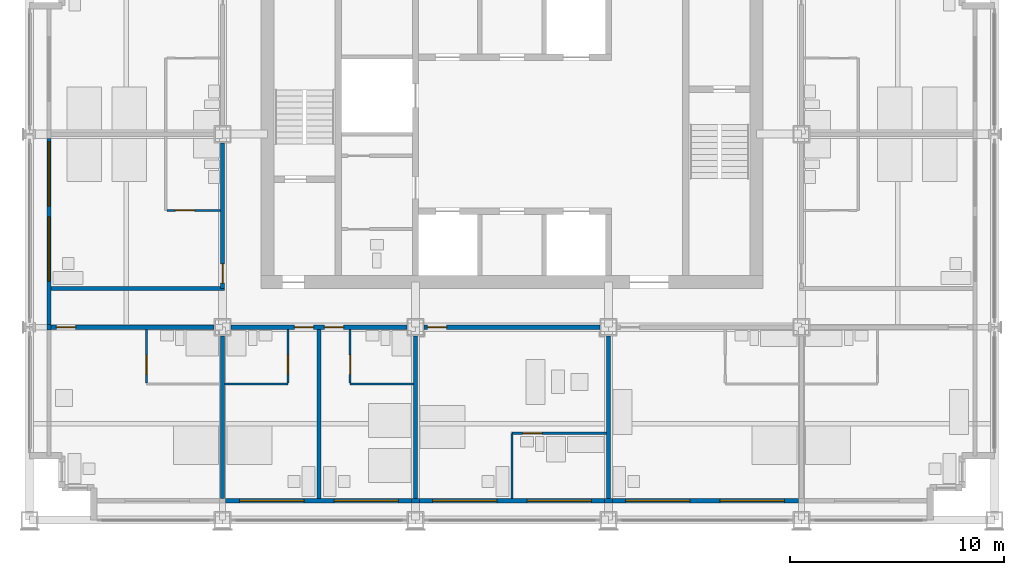
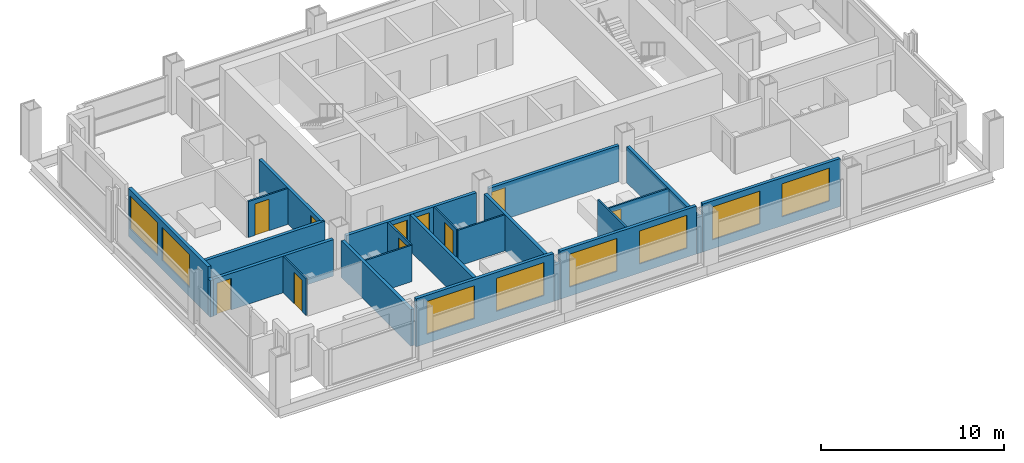
# One storey, part 7 of 13: 24 walls, 10 doors, 8 windows, 18 openings.
"""IFC4 building model written with IfcOpenShell, lengths in metres."""

from ifc_helpers import new_model, si_unit, direction, frame, frame_2d, origin, place, context, subcontext, project, spatial, rectangle, extrude, material, layer, layer_set, type_object, element, fill, save


model = new_model("IFC4")

# Units and contexts
model_context = context("Model", 3, precision=1e-05, world=origin(), true_north=direction((0.0, 1.0)))
body_context = subcontext(model_context, "Body", "Model", "MODEL_VIEW")
ifc_project = project(units=[si_unit("LENGTHUNIT", "METRE"), si_unit("AREAUNIT", "SQUARE_METRE"), si_unit("VOLUMEUNIT", "CUBIC_METRE"), si_unit("PLANEANGLEUNIT", "RADIAN"), si_unit("MASSUNIT", "GRAM", prefix="KILO")], contexts=[model_context])

# Site, building, storey
site_placement = place(None, origin())
site = spatial("IfcSite", under=ifc_project, at=site_placement, CompositionType="ELEMENT")
building_placement = place(site_placement, origin())
building = spatial("IfcBuilding", under=site, at=building_placement, Name="Loomwork Tower", CompositionType="ELEMENT")
storey_placement = place(building_placement, frame((0.0, 0.0, 187.60009765625)))
storey = spatial("IfcBuildingStorey", under=building, at=storey_placement, Name="L51", CompositionType="ELEMENT", Elevation=187.60009765625)

# Wall, opening, door
ifc_material_1 = material(Name="Gypsum board on steel studs, one-hour", Category="steel")
ifc_layer_1 = layer(ifc_material_1, 0.199951171875)
ifc_layer_set_1 = layer_set([ifc_layer_1], Name="Corridor wall 200")
wall_type_1 = type_object("IfcWallType", Name="Corridor wall 200", PredefinedType="PARTITIONING", material=ifc_layer_set_1)
wall_1_placement = place(storey_placement, frame((1.0, 9.0, 0.0), z_axis=(0.0, 0.0, 1.0), x_axis=(1.0, 0.0, 0.0)))
wall_1 = element("IfcWall", 1, at=wall_1_placement, inside=storey, type_object=wall_type_1, Name="South corridor wall 1", PredefinedType="PARTITIONING", context=body_context, shape_type="SweptSolid", body=[
    extrude(rectangle(XDim=7.60009765625, YDim=0.199951171875, at=frame_2d((3.800048828125, 0.0))), origin(), (0.0, 0.0, 1.0), 2.43798828125),
])
opening_1_placement = place(wall_1_placement, frame((0.25, 0.0, 0.0)))
opening_1 = element("IfcOpeningElement", 2, at=opening_1_placement, cuts=wall_1, Name="Opening D1", PredefinedType="OPENING", context=body_context, shape_type="SweptSolid", body=[
    extrude(rectangle(XDim=0.89990234375, YDim=2.10009765625, at=frame_2d((0.449951171875, 1.050048828125))), frame((0.0, 0.10986328125, 0.0), z_axis=(0.0, -1.0, 0.0), x_axis=(1.0, 0.0, 0.0)), (0.0, 0.0, 1.0), 0.219970703125),
])
ifc_material_2 = material(Name="Hollow metal door and frame")
door_type_1 = type_object("IfcDoorType", Name="Guest room entry door 900", OperationType="SINGLE_SWING_LEFT", PredefinedType="DOOR", material=ifc_material_2)
door_1_placement = place(opening_1_placement, frame((0.89990234375, 0.0, 0.0), z_axis=(0.0, 0.0, 1.0), x_axis=(-1.0, 0.0, 0.0)))
door_1 = element("IfcDoor", 3, at=door_1_placement, inside=storey, type_object=door_type_1, Name="Guest room entry door L51 1", OperationType="SINGLE_SWING_RIGHT", OverallHeight=2.10009765625, OverallWidth=0.89990234375, PredefinedType="DOOR", context=body_context, shape_type="SweptSolid", body=[
    extrude(rectangle(XDim=0.89990234375, YDim=2.10009765625, at=frame_2d((0.449951171875, 1.050048828125))), frame((0.0, 0.02490234375, 0.0), z_axis=(0.0, -1.0, 0.0), x_axis=(1.0, 0.0, 0.0)), (0.0, 0.0, 1.0), 0.050048828125),
])
fill(opening_1, door_1)

# Wall, openings, doors
wall_2_placement = place(storey_placement, frame((9.39990234375, 9.0, 0.0), z_axis=(0.0, 0.0, 1.0), x_axis=(1.0, 0.0, 0.0)))
wall_2 = element("IfcWall", 4, at=wall_2_placement, inside=storey, type_object=wall_type_1, Name="South corridor wall 2", PredefinedType="PARTITIONING", context=body_context, shape_type="SweptSolid", body=[
    extrude(rectangle(XDim=8.2001953125, YDim=0.199951171875, at=frame_2d((4.10009765625, 0.0))), origin(), (0.0, 0.0, 1.0), 2.40478515625),
])
opening_2_placement = place(wall_2_placement, frame((2.949951171875, 0.0, 0.0)))
opening_2 = element("IfcOpeningElement", 5, at=opening_2_placement, cuts=wall_2, Name="Opening D1", PredefinedType="OPENING", context=body_context, shape_type="SweptSolid", body=[
    extrude(rectangle(XDim=0.89990234375, YDim=2.10009765625, at=frame_2d((0.449951171875, 1.050048828125))), frame((0.0, 0.10986328125, 0.0), z_axis=(0.0, -1.0, 0.0), x_axis=(1.0, 0.0, 0.0)), (0.0, 0.0, 1.0), 0.219970703125),
])
opening_3_placement = place(wall_2_placement, frame((4.35009765625, 0.0, 0.0)))
opening_3 = element("IfcOpeningElement", 6, at=opening_3_placement, cuts=wall_2, Name="Opening D1", PredefinedType="OPENING", context=body_context, shape_type="SweptSolid", body=[
    extrude(rectangle(XDim=0.89990234375, YDim=2.10009765625, at=frame_2d((0.449951171875, 1.050048828125))), frame((0.0, 0.10986328125, 0.0), z_axis=(0.0, -1.0, 0.0), x_axis=(1.0, 0.0, 0.0)), (0.0, 0.0, 1.0), 0.219970703125),
])
door_2_placement = place(opening_2_placement, frame((0.89990234375, 0.0, 0.0), z_axis=(0.0, 0.0, 1.0), x_axis=(-1.0, 0.0, 0.0)))
door_2 = element("IfcDoor", 7, at=door_2_placement, inside=storey, type_object=door_type_1, Name="Guest room entry door L51 2", OperationType="SINGLE_SWING_LEFT", OverallHeight=2.10009765625, OverallWidth=0.89990234375, PredefinedType="DOOR", context=body_context, shape_type="SweptSolid", body=[
    extrude(rectangle(XDim=0.89990234375, YDim=2.10009765625, at=frame_2d((0.449951171875, 1.050048828125))), frame((0.0, 0.02490234375, 0.0), z_axis=(0.0, -1.0, 0.0), x_axis=(1.0, 0.0, 0.0)), (0.0, 0.0, 1.0), 0.050048828125),
])
fill(opening_2, door_2)
door_3_placement = place(opening_3_placement, frame((0.89990234375, 0.0, 0.0), z_axis=(0.0, 0.0, 1.0), x_axis=(-1.0, 0.0, 0.0)))
door_3 = element("IfcDoor", 8, at=door_3_placement, inside=storey, type_object=door_type_1, Name="Guest room entry door L51 3", OperationType="SINGLE_SWING_RIGHT", OverallHeight=2.10009765625, OverallWidth=0.89990234375, PredefinedType="DOOR", context=body_context, shape_type="SweptSolid", body=[
    extrude(rectangle(XDim=0.89990234375, YDim=2.10009765625, at=frame_2d((0.449951171875, 1.050048828125))), frame((0.0, 0.02490234375, 0.0), z_axis=(0.0, -1.0, 0.0), x_axis=(1.0, 0.0, 0.0)), (0.0, 0.0, 1.0), 0.050048828125),
])
fill(opening_3, door_3)

# Wall, opening, door
wall_3_placement = place(storey_placement, frame((18.39990234375, 9.0, 0.0), z_axis=(0.0, 0.0, 1.0), x_axis=(1.0, 0.0, 0.0)))
wall_3 = element("IfcWall", 9, at=wall_3_placement, inside=storey, type_object=wall_type_1, Name="South corridor wall 3", PredefinedType="PARTITIONING", context=body_context, shape_type="SweptSolid", body=[
    extrude(rectangle(XDim=8.2001953125, YDim=0.199951171875, at=frame_2d((4.10009765625, 0.0))), origin(), (0.0, 0.0, 1.0), 2.40478515625),
])
opening_4_placement = place(wall_3_placement, frame((0.14990234375, 0.0, 0.0)))
opening_4 = element("IfcOpeningElement", 10, at=opening_4_placement, cuts=wall_3, Name="Opening D1", PredefinedType="OPENING", context=body_context, shape_type="SweptSolid", body=[
    extrude(rectangle(XDim=0.89990234375, YDim=2.10009765625, at=frame_2d((0.449951171875, 1.050048828125))), frame((0.0, 0.10986328125, 0.0), z_axis=(0.0, -1.0, 0.0), x_axis=(1.0, 0.0, 0.0)), (0.0, 0.0, 1.0), 0.219970703125),
])
door_4_placement = place(opening_4_placement, frame((0.89990234375, 0.0, 0.0), z_axis=(0.0, 0.0, 1.0), x_axis=(-1.0, 0.0, 0.0)))
door_4 = element("IfcDoor", 11, at=door_4_placement, inside=storey, type_object=door_type_1, Name="Guest room entry door L51 4", OperationType="SINGLE_SWING_RIGHT", OverallHeight=2.10009765625, OverallWidth=0.89990234375, PredefinedType="DOOR", context=body_context, shape_type="SweptSolid", body=[
    extrude(rectangle(XDim=0.89990234375, YDim=2.10009765625, at=frame_2d((0.449951171875, 1.050048828125))), frame((0.0, 0.02490234375, 0.0), z_axis=(0.0, -1.0, 0.0), x_axis=(1.0, 0.0, 0.0)), (0.0, 0.0, 1.0), 0.050048828125),
])
fill(opening_4, door_4)

wall_4_placement = place(storey_placement, frame((9.0, 10.800048828125, 0.0), z_axis=(0.0, 0.0, 1.0), x_axis=(0.0, 1.0, 0.0)))
wall_4 = element("IfcWall", 12, at=wall_4_placement, inside=storey, type_object=wall_type_1, Name="West corridor wall 1", PredefinedType="PARTITIONING", context=body_context, shape_type="SweptSolid", body=[
    extrude(rectangle(XDim=6.800048828125, YDim=0.199951171875, at=frame_2d((3.39990234375, 0.0))), origin(), (0.0, 0.0, 1.0), 2.40478515625),
])
opening_5_placement = place(wall_4_placement, frame((0.25, 0.0, 0.0)))
opening_5 = element("IfcOpeningElement", 13, at=opening_5_placement, cuts=wall_4, Name="Opening D1", PredefinedType="OPENING", context=body_context, shape_type="SweptSolid", body=[
    extrude(rectangle(XDim=0.89990234375, YDim=2.10009765625, at=frame_2d((0.449951171875, 1.050048828125))), frame((0.0, 0.10986328125, 0.0), z_axis=(0.0, -1.0, 0.0), x_axis=(1.0, 0.0, 0.0)), (0.0, 0.0, 1.0), 0.219970703125),
])
door_5_placement = place(opening_5_placement, origin())
door_5 = element("IfcDoor", 14, at=door_5_placement, inside=storey, type_object=door_type_1, Name="Guest room entry door L51 7", OperationType="SINGLE_SWING_LEFT", OverallHeight=2.10009765625, OverallWidth=0.89990234375, PredefinedType="DOOR", context=body_context, shape_type="SweptSolid", body=[
    extrude(rectangle(XDim=0.89990234375, YDim=2.10009765625, at=frame_2d((0.449951171875, 1.050048828125))), frame((0.0, 0.02490234375, 0.0), z_axis=(0.0, -1.0, 0.0), x_axis=(1.0, 0.0, 0.0)), (0.0, 0.0, 1.0), 0.050048828125),
])
fill(opening_5, door_5)

# Wall
wall_5_placement = place(storey_placement, frame((1.0, 10.800048828125, 0.0), z_axis=(0.0, 0.0, 1.0), x_axis=(1.0, 0.0, 0.0)))
element("IfcWall", 15, at=wall_5_placement, inside=storey, type_object=wall_type_1, Name="West band end wall S", PredefinedType="PARTITIONING", context=body_context, shape_type="SweptSolid", body=[
    extrude(rectangle(XDim=8.10009765625, YDim=0.199951171875, at=frame_2d((4.050048828125, 0.0))), origin(), (0.0, 0.0, 1.0), 2.40380859375),
])

# Wall, opening, door
ifc_material_3 = material(Name="Cement board on steel studs", Category="steel")
ifc_layer_2 = layer(ifc_material_3, 0.10009765625)
ifc_layer_set_2 = layer_set([ifc_layer_2], Name="En-suite partition 100")
wall_type_2 = type_object("IfcWallType", Name="En-suite partition 100", PredefinedType="PARTITIONING", material=ifc_layer_set_2)
wall_6_placement = place(storey_placement, frame((5.449951171875, 8.89990234375, 0.0), z_axis=(0.0, 0.0, 1.0), x_axis=(0.0, -1.0, 0.0)))
wall_6 = element("IfcWall", 16, at=wall_6_placement, inside=storey, type_object=wall_type_2, Name="En-suite side wall L51 room 1", PredefinedType="PARTITIONING", context=body_context, shape_type="SweptSolid", body=[
    extrude(rectangle(XDim=2.5, YDim=0.10009765625, at=frame_2d((1.25, 0.0))), origin(), (0.0, 0.0, 1.0), 2.43798828125),
])
opening_6_placement = place(wall_6_placement, frame((1.199951171875, 0.0, 0.0)))
opening_6 = element("IfcOpeningElement", 17, at=opening_6_placement, cuts=wall_6, Name="Opening D3", PredefinedType="OPENING", context=body_context, shape_type="SweptSolid", body=[
    extrude(rectangle(XDim=0.89990234375, YDim=2.10009765625, at=frame_2d((0.449951171875, 1.050048828125))), frame((0.0, 0.06005859375, 0.0), z_axis=(0.0, -1.0, 0.0), x_axis=(1.0, 0.0, 0.0)), (0.0, 0.0, 1.0), 0.1201171875),
])
ifc_material_4 = material(Name="Hollow metal door and frame")
door_type_2 = type_object("IfcDoorType", Name="Accessible en-suite door 900", OperationType="SLIDING_TO_LEFT", PredefinedType="DOOR", material=ifc_material_4)
door_6_placement = place(opening_6_placement, origin())
door_6 = element("IfcDoor", 18, at=door_6_placement, inside=storey, type_object=door_type_2, Name="Accessible en-suite door room 1", OperationType="SLIDING_TO_LEFT", OverallHeight=2.10009765625, OverallWidth=0.89990234375, PredefinedType="DOOR", context=body_context, shape_type="SweptSolid", body=[
    extrude(rectangle(XDim=0.89990234375, YDim=2.10009765625, at=frame_2d((0.449951171875, 1.050048828125))), frame((0.0, 0.02490234375, 0.0), z_axis=(0.0, -1.0, 0.0), x_axis=(1.0, 0.0, 0.0)), (0.0, 0.0, 1.0), 0.050048828125),
])
fill(opening_6, door_6)

# Wall
wall_7_placement = place(storey_placement, frame((9.10009765625, 6.35009765625, 0.0), z_axis=(0.0, 0.0, 1.0), x_axis=(1.0, 0.0, 0.0)))
element("IfcWall", 19, at=wall_7_placement, inside=storey, type_object=wall_type_2, Name="En-suite wall L51 room 2", PredefinedType="PARTITIONING", context=body_context, shape_type="SweptSolid", body=[
    extrude(rectangle(XDim=2.949951171875, YDim=0.10009765625, at=frame_2d((1.47509765625, 0.0))), origin(), (0.0, 0.0, 1.0), 2.43798828125),
])

# Wall, opening, door
wall_8_placement = place(storey_placement, frame((12.050048828125, 8.89990234375, 0.0), z_axis=(0.0, 0.0, 1.0), x_axis=(0.0, -1.0, 0.0)))
wall_8 = element("IfcWall", 20, at=wall_8_placement, inside=storey, type_object=wall_type_2, Name="En-suite side wall L51 room 2", PredefinedType="PARTITIONING", context=body_context, shape_type="SweptSolid", body=[
    extrude(rectangle(XDim=2.5, YDim=0.10009765625, at=frame_2d((1.25, 0.0))), origin(), (0.0, 0.0, 1.0), 2.40380859375),
])
opening_7_placement = place(wall_8_placement, frame((1.199951171875, 0.0, 0.0)))
opening_7 = element("IfcOpeningElement", 21, at=opening_7_placement, cuts=wall_8, Name="Opening D2", PredefinedType="OPENING", context=body_context, shape_type="SweptSolid", body=[
    extrude(rectangle(XDim=0.89990234375, YDim=2.10009765625, at=frame_2d((0.449951171875, 1.050048828125))), frame((0.0, 0.06005859375, 0.0), z_axis=(0.0, -1.0, 0.0), x_axis=(1.0, 0.0, 0.0)), (0.0, 0.0, 1.0), 0.1201171875),
])
ifc_material_5 = material(Name="Hollow metal door and frame")
door_type_3 = type_object("IfcDoorType", Name="En-suite door 900", OperationType="SINGLE_SWING_LEFT", PredefinedType="DOOR", material=ifc_material_5)
door_7_placement = place(opening_7_placement, frame((0.89990234375, 0.0, 0.0), z_axis=(0.0, 0.0, 1.0), x_axis=(-1.0, 0.0, 0.0)))
door_7 = element("IfcDoor", 22, at=door_7_placement, inside=storey, type_object=door_type_3, Name="En-suite door room 2", OperationType="SINGLE_SWING_LEFT", OverallHeight=2.10009765625, OverallWidth=0.89990234375, PredefinedType="DOOR", context=body_context, shape_type="SweptSolid", body=[
    extrude(rectangle(XDim=0.89990234375, YDim=2.10009765625, at=frame_2d((0.449951171875, 1.050048828125))), frame((0.0, 0.02490234375, 0.0), z_axis=(0.0, -1.0, 0.0), x_axis=(1.0, 0.0, 0.0)), (0.0, 0.0, 1.0), 0.050048828125),
])
fill(opening_7, door_7)

# Wall
wall_9_placement = place(storey_placement, frame((14.949951171875, 6.35009765625, 0.0), z_axis=(0.0, 0.0, 1.0), x_axis=(1.0, 0.0, 0.0)))
element("IfcWall", 23, at=wall_9_placement, inside=storey, type_object=wall_type_2, Name="En-suite wall L51 room 3", PredefinedType="PARTITIONING", context=body_context, shape_type="SweptSolid", body=[
    extrude(rectangle(XDim=2.949951171875, YDim=0.10009765625, at=frame_2d((1.47509765625, 0.0))), origin(), (0.0, 0.0, 1.0), 2.40380859375),
])

# Wall, opening, door
wall_10_placement = place(storey_placement, frame((14.949951171875, 8.89990234375, 0.0), z_axis=(0.0, 0.0, 1.0), x_axis=(0.0, -1.0, 0.0)))
wall_10 = element("IfcWall", 24, at=wall_10_placement, inside=storey, type_object=wall_type_2, Name="En-suite side wall L51 room 3", PredefinedType="PARTITIONING", context=body_context, shape_type="SweptSolid", body=[
    extrude(rectangle(XDim=2.5, YDim=0.10009765625, at=frame_2d((1.25, 0.0))), origin(), (0.0, 0.0, 1.0), 2.40380859375),
])
opening_8_placement = place(wall_10_placement, frame((1.199951171875, 0.0, 0.0)))
opening_8 = element("IfcOpeningElement", 25, at=opening_8_placement, cuts=wall_10, Name="Opening D2", PredefinedType="OPENING", context=body_context, shape_type="SweptSolid", body=[
    extrude(rectangle(XDim=0.89990234375, YDim=2.10009765625, at=frame_2d((0.449951171875, 1.050048828125))), frame((0.0, 0.06005859375, 0.0), z_axis=(0.0, -1.0, 0.0), x_axis=(1.0, 0.0, 0.0)), (0.0, 0.0, 1.0), 0.1201171875),
])
door_8_placement = place(opening_8_placement, origin())
door_8 = element("IfcDoor", 26, at=door_8_placement, inside=storey, type_object=door_type_3, Name="En-suite door room 3", OperationType="SINGLE_SWING_RIGHT", OverallHeight=2.10009765625, OverallWidth=0.89990234375, PredefinedType="DOOR", context=body_context, shape_type="SweptSolid", body=[
    extrude(rectangle(XDim=0.89990234375, YDim=2.10009765625, at=frame_2d((0.449951171875, 1.050048828125))), frame((0.0, 0.02490234375, 0.0), z_axis=(0.0, -1.0, 0.0), x_axis=(1.0, 0.0, 0.0)), (0.0, 0.0, 1.0), 0.050048828125),
])
fill(opening_8, door_8)

wall_11_placement = place(storey_placement, frame((22.5, 4.050048828125, 0.0), z_axis=(0.0, 0.0, 1.0), x_axis=(1.0, 0.0, 0.0)))
wall_11 = element("IfcWall", 27, at=wall_11_placement, inside=storey, type_object=wall_type_2, Name="Spa bathroom wall L51 room 4", PredefinedType="PARTITIONING", context=body_context, shape_type="SweptSolid", body=[
    extrude(rectangle(XDim=4.39990234375, YDim=0.10009765625, at=frame_2d((2.199951171875, 0.0))), origin(), (0.0, 0.0, 1.0), 2.40380859375),
])
opening_9_placement = place(wall_11_placement, frame((0.5, 0.0, 0.0)))
opening_9 = element("IfcOpeningElement", 28, at=opening_9_placement, cuts=wall_11, Name="Opening D2", PredefinedType="OPENING", context=body_context, shape_type="SweptSolid", body=[
    extrude(rectangle(XDim=0.89990234375, YDim=2.10009765625, at=frame_2d((0.449951171875, 1.050048828125))), frame((0.0, 0.06005859375, 0.0), z_axis=(0.0, -1.0, 0.0), x_axis=(1.0, 0.0, 0.0)), (0.0, 0.0, 1.0), 0.1201171875),
])
door_9_placement = place(opening_9_placement, frame((0.89990234375, 0.0, 0.0), z_axis=(0.0, 0.0, 1.0), x_axis=(-1.0, 0.0, 0.0)))
door_9 = element("IfcDoor", 29, at=door_9_placement, inside=storey, type_object=door_type_3, Name="Spa bathroom door room 4", OperationType="SINGLE_SWING_RIGHT", OverallHeight=2.10009765625, OverallWidth=0.89990234375, PredefinedType="DOOR", context=body_context, shape_type="SweptSolid", body=[
    extrude(rectangle(XDim=0.89990234375, YDim=2.10009765625, at=frame_2d((0.449951171875, 1.050048828125))), frame((0.0, 0.02490234375, 0.0), z_axis=(0.0, -1.0, 0.0), x_axis=(1.0, 0.0, 0.0)), (0.0, 0.0, 1.0), 0.050048828125),
])
fill(opening_9, door_9)

# Wall
wall_12_placement = place(storey_placement, frame((22.5, 4.050048828125, 0.0), z_axis=(0.0, 0.0, 1.0), x_axis=(0.0, -1.0, 0.0)))
element("IfcWall", 30, at=wall_12_placement, inside=storey, type_object=wall_type_2, Name="Spa bathroom side wall L51 room 4", PredefinedType="PARTITIONING", context=body_context, shape_type="SweptSolid", body=[
    extrude(rectangle(XDim=3.050048828125, YDim=0.10009765625, at=frame_2d((1.52490234375, 0.0))), origin(), (0.0, 0.0, 1.0), 3.199951171875),
])

# Wall, opening, door
wall_13_placement = place(storey_placement, frame((8.89990234375, 14.449951171875, 0.0), z_axis=(0.0, 0.0, 1.0), x_axis=(-1.0, 0.0, 0.0)))
wall_13 = element("IfcWall", 31, at=wall_13_placement, inside=storey, type_object=wall_type_2, Name="En-suite side wall L51 room 7", PredefinedType="PARTITIONING", context=body_context, shape_type="SweptSolid", body=[
    extrude(rectangle(XDim=2.5, YDim=0.10009765625, at=frame_2d((1.25, 0.0))), origin(), (0.0, 0.0, 1.0), 2.40380859375),
])
opening_10_placement = place(wall_13_placement, frame((1.199951171875, 0.0, 0.0)))
opening_10 = element("IfcOpeningElement", 32, at=opening_10_placement, cuts=wall_13, Name="Opening D2", PredefinedType="OPENING", context=body_context, shape_type="SweptSolid", body=[
    extrude(rectangle(XDim=0.89990234375, YDim=2.10009765625, at=frame_2d((0.449951171875, 1.050048828125))), frame((0.0, 0.06005859375, 0.0), z_axis=(0.0, -1.0, 0.0), x_axis=(1.0, 0.0, 0.0)), (0.0, 0.0, 1.0), 0.1201171875),
])
door_10_placement = place(opening_10_placement, frame((0.89990234375, 0.0, 0.0), z_axis=(0.0, 0.0, 1.0), x_axis=(-1.0, 0.0, 0.0)))
door_10 = element("IfcDoor", 33, at=door_10_placement, inside=storey, type_object=door_type_3, Name="En-suite door room 7", OperationType="SINGLE_SWING_LEFT", OverallHeight=2.10009765625, OverallWidth=0.89990234375, PredefinedType="DOOR", context=body_context, shape_type="SweptSolid", body=[
    extrude(rectangle(XDim=0.89990234375, YDim=2.10009765625, at=frame_2d((0.449951171875, 1.050048828125))), frame((0.0, 0.02490234375, 0.0), z_axis=(0.0, -1.0, 0.0), x_axis=(1.0, 0.0, 0.0)), (0.0, 0.0, 1.0), 0.050048828125),
])
fill(opening_10, door_10)

# Walls
ifc_material_6 = material(Name="Gypsum board on steel studs, acoustic", Category="steel")
ifc_layer_3 = layer(ifc_material_6, 0.199951171875)
ifc_layer_set_3 = layer_set([ifc_layer_3], Name="Guest room party wall 200")
wall_type_3 = type_object("IfcWallType", Name="Guest room party wall 200", PredefinedType="PARTITIONING", material=ifc_layer_set_3)
wall_14_placement = place(storey_placement, frame((9.0, 8.60009765625, 0.0), z_axis=(0.0, 0.0, 1.0), x_axis=(0.0, -1.0, 0.0)))
element("IfcWall", 34, at=wall_14_placement, inside=storey, type_object=wall_type_3, Name="Guest room party wall S 9", PredefinedType="PARTITIONING", context=body_context, shape_type="SweptSolid", body=[
    extrude(rectangle(XDim=7.60009765625, YDim=0.199951171875, at=frame_2d((3.800048828125, 0.0))), origin(), (0.0, 0.0, 1.0), 2.43798828125),
])
wall_15_placement = place(storey_placement, frame((13.5, 8.89990234375, 0.0), z_axis=(0.0, 0.0, 1.0), x_axis=(0.0, -1.0, 0.0)))
element("IfcWall", 35, at=wall_15_placement, inside=storey, type_object=wall_type_3, Name="Guest room party wall S 13.5", PredefinedType="PARTITIONING", context=body_context, shape_type="SweptSolid", body=[
    extrude(rectangle(XDim=7.89990234375, YDim=0.199951171875, at=frame_2d((3.949951171875, 0.0))), origin(), (0.0, 0.0, 1.0), 2.40380859375),
])
for number, where, z_axis, x_axis, name in (
    (36, (18.0, 8.60009765625, 0.0), (0.0, 0.0, 1.0), (0.0, -1.0, 0.0), "Guest room party wall S 18"),
    (37, (27.0, 8.60009765625, 0.0), (0.0, 0.0, 1.0), (0.0, -1.0, 0.0), "Guest room party wall S 27"),
):
    element("IfcWall", number, at=place(storey_placement, frame(where, z_axis=z_axis, x_axis=x_axis)), inside=storey, type_object=wall_type_3, Name=name, PredefinedType="PARTITIONING", context=body_context, shape_type="SweptSolid", body=[
        extrude(rectangle(XDim=7.60009765625, YDim=0.199951171875, at=frame_2d((3.800048828125, 0.0))), origin(), (0.0, 0.0, 1.0), 2.40478515625),
    ])

# Wall, openings, windows
ifc_material_7 = material(Name="Insulated steel stud wall with gypsum lining", Category="steel")
ifc_layer_4 = layer(ifc_material_7, 0.199951171875)
ifc_layer_set_4 = layer_set([ifc_layer_4], Name="Inner skin wall 200")
wall_type_4 = type_object("IfcWallType", Name="Inner skin wall 200", PredefinedType="SOLIDWALL", material=ifc_layer_set_4)
wall_16_placement = place(storey_placement, frame((9.13525390625, 0.89990234375, 0.0), z_axis=(0.0, 0.0, 1.0), x_axis=(1.0, 0.0, 0.0)))
wall_16 = element("IfcWall", 38, at=wall_16_placement, inside=storey, type_object=wall_type_4, Name="Inner skin wall S bay 3", PredefinedType="SOLIDWALL", context=body_context, shape_type="SweptSolid", body=[
    extrude(rectangle(XDim=8.6708984375, YDim=0.199951171875, at=frame_2d((4.33544921875, 0.0))), origin(), (0.0, 0.0, 1.0), 3.199951171875),
])
opening_11_placement = place(wall_16_placement, frame((0.664794921875, 0.0, 0.60009765625)))
opening_11 = element("IfcOpeningElement", 39, at=opening_11_placement, cuts=wall_16, Name="Opening CH1", PredefinedType="OPENING", context=body_context, shape_type="SweptSolid", body=[
    extrude(rectangle(XDim=3.0, YDim=2.199951171875, at=frame_2d((1.5, 1.10009765625))), frame((0.0, 0.10986328125, 0.0), z_axis=(0.0, -1.0, 0.0), x_axis=(1.0, 0.0, 0.0)), (0.0, 0.0, 1.0), 0.219970703125),
])
opening_12_placement = place(wall_16_placement, frame((5.064697265625, 0.0, 0.60009765625)))
opening_12 = element("IfcOpeningElement", 40, at=opening_12_placement, cuts=wall_16, Name="Opening CH1", PredefinedType="OPENING", context=body_context, shape_type="SweptSolid", body=[
    extrude(rectangle(XDim=3.0, YDim=2.199951171875, at=frame_2d((1.5, 1.10009765625))), frame((0.0, 0.10986328125, 0.0), z_axis=(0.0, -1.0, 0.0), x_axis=(1.0, 0.0, 0.0)), (0.0, 0.0, 1.0), 0.219970703125),
])
ifc_material_8 = material(Name="Aluminium frame with clear insulated glass", Category="aluminium")
window_type = type_object("IfcWindowType", Name="Chicago window 3000", PartitioningType="TRIPLE_PANEL_VERTICAL", PredefinedType="WINDOW", material=ifc_material_8)
window_1_placement = place(opening_11_placement, origin())
window_1 = element("IfcWindow", 41, at=window_1_placement, inside=storey, type_object=window_type, Name="Chicago window L51 bay 2", OverallHeight=2.199951171875, OverallWidth=3.0, PartitioningType="TRIPLE_PANEL_VERTICAL", PredefinedType="WINDOW", context=body_context, shape_type="SweptSolid", body=[
    extrude(rectangle(XDim=3.0, YDim=2.199951171875, at=frame_2d((1.5, 1.10009765625))), frame((0.0, 0.030029296875, 0.0), z_axis=(0.0, -1.0, 0.0), x_axis=(1.0, 0.0, 0.0)), (0.0, 0.0, 1.0), 0.06005859375),
])
fill(opening_11, window_1)
window_2_placement = place(opening_12_placement, origin())
window_2 = element("IfcWindow", 42, at=window_2_placement, inside=storey, type_object=window_type, Name="Chicago window L51 bay 2", OverallHeight=2.199951171875, OverallWidth=3.0, PartitioningType="TRIPLE_PANEL_VERTICAL", PredefinedType="WINDOW", context=body_context, shape_type="SweptSolid", body=[
    extrude(rectangle(XDim=3.0, YDim=2.199951171875, at=frame_2d((1.5, 1.10009765625))), frame((0.0, 0.030029296875, 0.0), z_axis=(0.0, -1.0, 0.0), x_axis=(1.0, 0.0, 0.0)), (0.0, 0.0, 1.0), 0.06005859375),
])
fill(opening_12, window_2)

# Wall
wall_17_placement = place(storey_placement, frame((17.80615234375, 0.89990234375, 0.0), z_axis=(0.0, 0.0, 1.0), x_axis=(1.0, 0.0, 0.0)))
element("IfcWall", 43, at=wall_17_placement, inside=storey, type_object=wall_type_4, Name="Inner skin wall S bay 4", PredefinedType="SOLIDWALL", context=body_context, shape_type="SweptSolid", body=[
    extrude(rectangle(XDim=0.3876953125, YDim=0.199951171875, at=frame_2d((0.19384765625, 0.0))), origin(), (0.0, 0.0, 1.0), 2.40380859375),
])

# Wall, openings, windows
wall_18_placement = place(storey_placement, frame((18.19384765625, 0.89990234375, 0.0), z_axis=(0.0, 0.0, 1.0), x_axis=(1.0, 0.0, 0.0)))
wall_18 = element("IfcWall", 44, at=wall_18_placement, inside=storey, type_object=wall_type_4, Name="Inner skin wall S bay 5", PredefinedType="SOLIDWALL", context=body_context, shape_type="SweptSolid", body=[
    extrude(rectangle(XDim=8.6123046875, YDim=0.199951171875, at=frame_2d((4.30615234375, 0.0))), origin(), (0.0, 0.0, 1.0), 3.199951171875),
])
opening_13_placement = place(wall_18_placement, frame((0.606201171875, 0.0, 0.60009765625)))
opening_13 = element("IfcOpeningElement", 45, at=opening_13_placement, cuts=wall_18, Name="Opening CH1", PredefinedType="OPENING", context=body_context, shape_type="SweptSolid", body=[
    extrude(rectangle(XDim=3.0, YDim=2.199951171875, at=frame_2d((1.5, 1.10009765625))), frame((0.0, 0.10986328125, 0.0), z_axis=(0.0, -1.0, 0.0), x_axis=(1.0, 0.0, 0.0)), (0.0, 0.0, 1.0), 0.219970703125),
])
opening_14_placement = place(wall_18_placement, frame((5.006103515625, 0.0, 0.60009765625)))
opening_14 = element("IfcOpeningElement", 46, at=opening_14_placement, cuts=wall_18, Name="Opening CH1", PredefinedType="OPENING", context=body_context, shape_type="SweptSolid", body=[
    extrude(rectangle(XDim=3.0, YDim=2.199951171875, at=frame_2d((1.5, 1.10009765625))), frame((0.0, 0.10986328125, 0.0), z_axis=(0.0, -1.0, 0.0), x_axis=(1.0, 0.0, 0.0)), (0.0, 0.0, 1.0), 0.219970703125),
])
window_3_placement = place(opening_13_placement, origin())
window_3 = element("IfcWindow", 47, at=window_3_placement, inside=storey, type_object=window_type, Name="Chicago window L51 bay 3", OverallHeight=2.199951171875, OverallWidth=3.0, PartitioningType="TRIPLE_PANEL_VERTICAL", PredefinedType="WINDOW", context=body_context, shape_type="SweptSolid", body=[
    extrude(rectangle(XDim=3.0, YDim=2.199951171875, at=frame_2d((1.5, 1.10009765625))), frame((0.0, 0.030029296875, 0.0), z_axis=(0.0, -1.0, 0.0), x_axis=(1.0, 0.0, 0.0)), (0.0, 0.0, 1.0), 0.06005859375),
])
fill(opening_13, window_3)
window_4_placement = place(opening_14_placement, origin())
window_4 = element("IfcWindow", 48, at=window_4_placement, inside=storey, type_object=window_type, Name="Chicago window L51 bay 3", OverallHeight=2.199951171875, OverallWidth=3.0, PartitioningType="TRIPLE_PANEL_VERTICAL", PredefinedType="WINDOW", context=body_context, shape_type="SweptSolid", body=[
    extrude(rectangle(XDim=3.0, YDim=2.199951171875, at=frame_2d((1.5, 1.10009765625))), frame((0.0, 0.030029296875, 0.0), z_axis=(0.0, -1.0, 0.0), x_axis=(1.0, 0.0, 0.0)), (0.0, 0.0, 1.0), 0.06005859375),
])
fill(opening_14, window_4)

# Wall
wall_19_placement = place(storey_placement, frame((26.80615234375, 0.89990234375, 0.0), z_axis=(0.0, 0.0, 1.0), x_axis=(1.0, 0.0, 0.0)))
element("IfcWall", 49, at=wall_19_placement, inside=storey, type_object=wall_type_4, Name="Inner skin wall S bay 6", PredefinedType="SOLIDWALL", context=body_context, shape_type="SweptSolid", body=[
    extrude(rectangle(XDim=0.3876953125, YDim=0.199951171875, at=frame_2d((0.19384765625, 0.0))), origin(), (0.0, 0.0, 1.0), 2.40380859375),
])

# Wall, openings, windows
wall_20_placement = place(storey_placement, frame((27.19384765625, 0.89990234375, 0.0), z_axis=(0.0, 0.0, 1.0), x_axis=(1.0, 0.0, 0.0)))
wall_20 = element("IfcWall", 50, at=wall_20_placement, inside=storey, type_object=wall_type_4, Name="Inner skin wall S bay 7", PredefinedType="SOLIDWALL", context=body_context, shape_type="SweptSolid", body=[
    extrude(rectangle(XDim=8.670654296875, YDim=0.199951171875, at=frame_2d((4.33544921875, 0.0))), origin(), (0.0, 0.0, 1.0), 3.199951171875),
])
opening_15_placement = place(wall_20_placement, frame((0.606201171875, 0.0, 0.60009765625)))
opening_15 = element("IfcOpeningElement", 51, at=opening_15_placement, cuts=wall_20, Name="Opening CH1", PredefinedType="OPENING", context=body_context, shape_type="SweptSolid", body=[
    extrude(rectangle(XDim=3.0, YDim=2.199951171875, at=frame_2d((1.5, 1.10009765625))), frame((0.0, 0.10986328125, 0.0), z_axis=(0.0, -1.0, 0.0), x_axis=(1.0, 0.0, 0.0)), (0.0, 0.0, 1.0), 0.219970703125),
])
opening_16_placement = place(wall_20_placement, frame((5.006103515625, 0.0, 0.60009765625)))
opening_16 = element("IfcOpeningElement", 52, at=opening_16_placement, cuts=wall_20, Name="Opening CH1", PredefinedType="OPENING", context=body_context, shape_type="SweptSolid", body=[
    extrude(rectangle(XDim=3.0, YDim=2.199951171875, at=frame_2d((1.5, 1.10009765625))), frame((0.0, 0.10986328125, 0.0), z_axis=(0.0, -1.0, 0.0), x_axis=(1.0, 0.0, 0.0)), (0.0, 0.0, 1.0), 0.219970703125),
])
window_5_placement = place(opening_15_placement, origin())
window_5 = element("IfcWindow", 53, at=window_5_placement, inside=storey, type_object=window_type, Name="Chicago window L51 bay 4", OverallHeight=2.199951171875, OverallWidth=3.0, PartitioningType="TRIPLE_PANEL_VERTICAL", PredefinedType="WINDOW", context=body_context, shape_type="SweptSolid", body=[
    extrude(rectangle(XDim=3.0, YDim=2.199951171875, at=frame_2d((1.5, 1.10009765625))), frame((0.0, 0.030029296875, 0.0), z_axis=(0.0, -1.0, 0.0), x_axis=(1.0, 0.0, 0.0)), (0.0, 0.0, 1.0), 0.06005859375),
])
fill(opening_15, window_5)
window_6_placement = place(opening_16_placement, origin())
window_6 = element("IfcWindow", 54, at=window_6_placement, inside=storey, type_object=window_type, Name="Chicago window L51 bay 4", OverallHeight=2.199951171875, OverallWidth=3.0, PartitioningType="TRIPLE_PANEL_VERTICAL", PredefinedType="WINDOW", context=body_context, shape_type="SweptSolid", body=[
    extrude(rectangle(XDim=3.0, YDim=2.199951171875, at=frame_2d((1.5, 1.10009765625))), frame((0.0, 0.030029296875, 0.0), z_axis=(0.0, -1.0, 0.0), x_axis=(1.0, 0.0, 0.0)), (0.0, 0.0, 1.0), 0.06005859375),
])
fill(opening_16, window_6)

# Wall
wall_21_placement = place(storey_placement, frame((0.89990234375, 8.86474609375, 0.0), z_axis=(0.0, 0.0, 1.0), x_axis=(0.0, 1.0, 0.0)))
element("IfcWall", 55, at=wall_21_placement, inside=storey, type_object=wall_type_4, Name="Inner skin wall W bay 4", PredefinedType="SOLIDWALL", context=body_context, shape_type="SweptSolid", body=[
    extrude(rectangle(XDim=0.2705078125, YDim=0.199951171875, at=frame_2d((0.13525390625, 0.0))), origin(), (0.0, 0.0, 1.0), 2.43798828125),
])

# Wall, openings, windows
wall_22_placement = place(storey_placement, frame((0.89990234375, 9.13525390625, 0.0), z_axis=(0.0, 0.0, 1.0), x_axis=(0.0, 1.0, 0.0)))
wall_22 = element("IfcWall", 56, at=wall_22_placement, inside=storey, type_object=wall_type_4, Name="Inner skin wall W bay 5", PredefinedType="SOLIDWALL", context=body_context, shape_type="SweptSolid", body=[
    extrude(rectangle(XDim=8.6708984375, YDim=0.199951171875, at=frame_2d((4.33544921875, 0.0))), origin(), (0.0, 0.0, 1.0), 3.199951171875),
])
opening_17_placement = place(wall_22_placement, frame((2.0146484375, 0.0, 0.60009765625)))
opening_17 = element("IfcOpeningElement", 57, at=opening_17_placement, cuts=wall_22, Name="Opening CH1", PredefinedType="OPENING", context=body_context, shape_type="SweptSolid", body=[
    extrude(rectangle(XDim=3.0, YDim=2.199951171875, at=frame_2d((1.5, 1.10009765625))), frame((0.0, 0.10986328125, 0.0), z_axis=(0.0, -1.0, 0.0), x_axis=(1.0, 0.0, 0.0)), (0.0, 0.0, 1.0), 0.219970703125),
])
opening_18_placement = place(wall_22_placement, frame((5.5146484375, 0.0, 0.60009765625)))
opening_18 = element("IfcOpeningElement", 58, at=opening_18_placement, cuts=wall_22, Name="Opening CH1", PredefinedType="OPENING", context=body_context, shape_type="SweptSolid", body=[
    extrude(rectangle(XDim=3.0, YDim=2.199951171875, at=frame_2d((1.5, 1.10009765625))), frame((0.0, 0.10986328125, 0.0), z_axis=(0.0, -1.0, 0.0), x_axis=(1.0, 0.0, 0.0)), (0.0, 0.0, 1.0), 0.219970703125),
])
window_7_placement = place(opening_17_placement, origin())
window_7 = element("IfcWindow", 59, at=window_7_placement, inside=storey, type_object=window_type, Name="Chicago window L51 bay 6", OverallHeight=2.199951171875, OverallWidth=3.0, PartitioningType="TRIPLE_PANEL_VERTICAL", PredefinedType="WINDOW", context=body_context, shape_type="SweptSolid", body=[
    extrude(rectangle(XDim=3.0, YDim=2.199951171875, at=frame_2d((1.5, 1.10009765625))), frame((0.0, 0.030029296875, 0.0), z_axis=(0.0, -1.0, 0.0), x_axis=(1.0, 0.0, 0.0)), (0.0, 0.0, 1.0), 0.06005859375),
])
fill(opening_17, window_7)
window_8_placement = place(opening_18_placement, origin())
window_8 = element("IfcWindow", 60, at=window_8_placement, inside=storey, type_object=window_type, Name="Chicago window L51 bay 6", OverallHeight=2.199951171875, OverallWidth=3.0, PartitioningType="TRIPLE_PANEL_VERTICAL", PredefinedType="WINDOW", context=body_context, shape_type="SweptSolid", body=[
    extrude(rectangle(XDim=3.0, YDim=2.199951171875, at=frame_2d((1.5, 1.10009765625))), frame((0.0, 0.030029296875, 0.0), z_axis=(0.0, -1.0, 0.0), x_axis=(1.0, 0.0, 0.0)), (0.0, 0.0, 1.0), 0.06005859375),
])
fill(opening_18, window_8)

save(model, "model.ifc")
